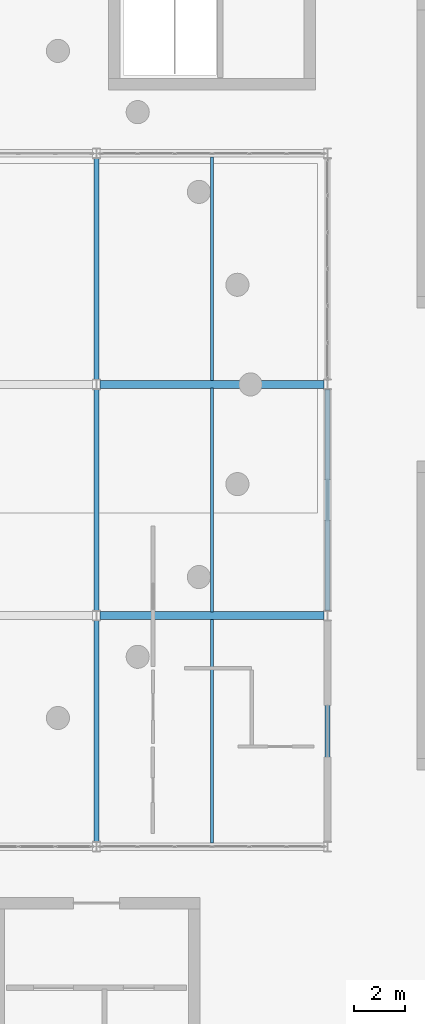
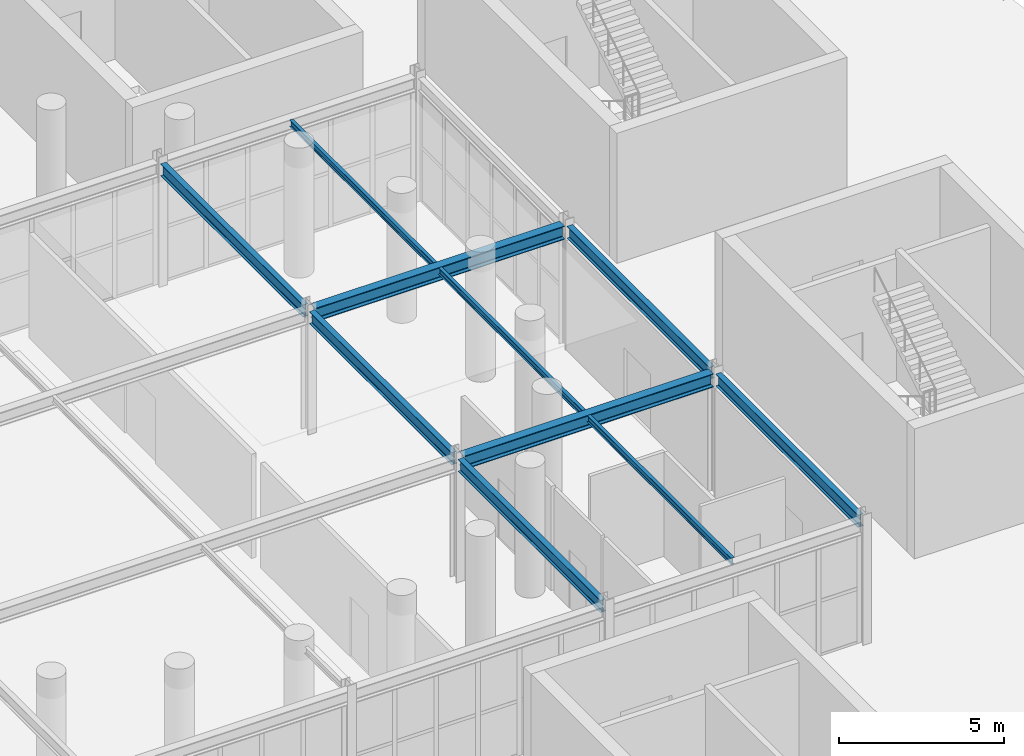
# One storey, part 13 of 29: 10 beams.
"""IFC4 building model written with IfcOpenShell, lengths in metres."""

from ifc_helpers import new_model, si_unit, direction, frame, origin, origin_2d, place, context, subcontext, project, spatial, i_section, extrude, material, material_profile, profile_set, type_object, element, save


model = new_model("IFC4")

# Units and contexts
model_context = context("Model", 3, precision=1e-05, world=origin(), true_north=direction((0.0, 1.0)))
body_context = subcontext(model_context, "Body", "Model", "MODEL_VIEW")
ifc_project = project(units=[si_unit("LENGTHUNIT", "METRE"), si_unit("AREAUNIT", "SQUARE_METRE"), si_unit("VOLUMEUNIT", "CUBIC_METRE"), si_unit("PLANEANGLEUNIT", "RADIAN"), si_unit("MASSUNIT", "GRAM", prefix="KILO")], contexts=[model_context])

# Site, building, storey
site_placement = place(None, origin())
site = spatial("IfcSite", under=ifc_project, at=site_placement, CompositionType="ELEMENT")
building_placement = place(site_placement, origin())
building = spatial("IfcBuilding", under=site, at=building_placement, Name="Dornveld Trade and Exhibition Forum", CompositionType="ELEMENT")
storey_placement = place(building_placement, frame((0.0, 0.0, 21.60009765625)))
storey = spatial("IfcBuildingStorey", under=building, at=storey_placement, Name="L04", CompositionType="ELEMENT", Elevation=21.60009765625)

# Beams
ifc_material_1 = material(Name="Steel S355J2", Category="steel")
ifc_material_profile_1 = material_profile(ifc_material_1, i_section(OverallWidth=0.300048828125, OverallDepth=0.5, WebThickness=0.014404296875, FlangeThickness=0.028076171875, FilletRadius=0.027099609375, at=origin_2d()), Name="HEB 500")
ifc_profile_set_1 = profile_set([ifc_material_profile_1], Name="Steel S355J2")
beam_type_1 = type_object("IfcBeamType", Name="BM-GIR-HEB500", PredefinedType="USERDEFINED", material=ifc_profile_set_1)
for number, where, z_axis, x_axis, name in (
    (1, (126.14599609375, 72.0, 4.2998046875), (1.0, 0.0, 0.0), (0.0, 1.0, 0.0), "L04 X-girder 1679"),
    (2, (126.14599609375, 81.0, 4.2998046875), (1.0, 0.0, 0.0), (0.0, 1.0, 0.0), "L04 X-girder 1682"),
):
    element("IfcBeam", number, at=place(storey_placement, frame(where, z_axis=z_axis, x_axis=x_axis)), inside=storey, type_object=beam_type_1, Name=name, ObjectType="GIRDER", PredefinedType="USERDEFINED", context=body_context, shape_type="SweptSolid", body=[
        extrude(i_section(OverallWidth=0.300048828125, OverallDepth=0.5, WebThickness=0.014404296875, FlangeThickness=0.028076171875, FilletRadius=0.027099609375, at=origin_2d()), origin(), (0.0, 0.0, 1.0), 8.7080078125),
    ])
ifc_material_2 = material(Name="Steel S355J2", Category="steel")
ifc_material_profile_2 = material_profile(ifc_material_2, i_section(OverallWidth=0.1201171875, OverallDepth=0.239990234375, WebThickness=0.006103515625, FlangeThickness=0.009765625, FilletRadius=0.014892578125, at=origin_2d()), Name="IPE 240")
ifc_profile_set_2 = profile_set([ifc_material_profile_2], Name="Steel S355J2")
beam_type_2 = type_object("IfcBeamType", Name="BM-JOIST-240", PredefinedType="JOIST", material=ifc_profile_set_2)
for number, where, z_axis, x_axis, name in (
    (3, (130.5, 63.14697265625, 4.429931640625), (0.0, 1.0, 0.0), (-1.0, 0.0, 0.0), "L04 secondary joist 1704"),
    (4, (130.5, 72.14697265625, 4.429931640625), (0.0, 1.0, 0.0), (-1.0, 0.0, 0.0), "L04 secondary joist 1705"),
    (5, (130.5, 81.14697265625, 4.429931640625), (0.0, 1.0, 0.0), (-1.0, 0.0, 0.0), "L04 secondary joist 1706"),
):
    element("IfcBeam", number, at=place(storey_placement, frame(where, z_axis=z_axis, x_axis=x_axis)), inside=storey, type_object=beam_type_2, Name=name, PredefinedType="JOIST", context=body_context, shape_type="SweptSolid", body=[
        extrude(i_section(OverallWidth=0.1201171875, OverallDepth=0.239990234375, WebThickness=0.006103515625, FlangeThickness=0.009765625, FilletRadius=0.014892578125, at=origin_2d()), origin(), (0.0, 0.0, 1.0), 8.7060546875),
    ])
ifc_material_3 = material(Name="Steel S355J2", Category="steel")
ifc_material_profile_3 = material_profile(ifc_material_3, i_section(OverallWidth=0.18994140625, OverallDepth=0.449951171875, WebThickness=0.009521484375, FlangeThickness=0.0146484375, FilletRadius=0.02099609375, at=origin_2d()), Name="IPE 450")
ifc_profile_set_3 = profile_set([ifc_material_profile_3], Name="Steel S355J2")
beam_type_3 = type_object("IfcBeamType", Name="BM-SEC-450", PredefinedType="BEAM", material=ifc_profile_set_3)
for number, where, z_axis, x_axis, name in (
    (6, (126.0, 63.196044921875, 4.324951171875), (0.0, 1.0, 0.0), (-1.0, 0.0, 0.0), "L04 Y-girder 1692"),
    (7, (126.0, 72.196044921875, 4.324951171875), (0.0, 1.0, 0.0), (-1.0, 0.0, 0.0), "L04 Y-girder 1693"),
    (8, (126.0, 81.196044921875, 4.324951171875), (0.0, 1.0, 0.0), (-1.0, 0.0, 0.0), "L04 Y-girder 1694"),
    (9, (135.0, 63.196044921875, 4.324951171875), (0.0, 1.0, 0.0), (-1.0, 0.0, 0.0), "L04 Y-girder 1695"),
    (10, (135.0, 72.196044921875, 4.324951171875), (0.0, 1.0, 0.0), (-1.0, 0.0, 0.0), "L04 Y-girder 1696"),
):
    element("IfcBeam", number, at=place(storey_placement, frame(where, z_axis=z_axis, x_axis=x_axis)), inside=storey, type_object=beam_type_3, Name=name, PredefinedType="BEAM", context=body_context, shape_type="SweptSolid", body=[
        extrude(i_section(OverallWidth=0.18994140625, OverallDepth=0.449951171875, WebThickness=0.009521484375, FlangeThickness=0.0146484375, FilletRadius=0.02099609375, at=origin_2d()), origin(), (0.0, 0.0, 1.0), 8.60791015625),
    ])

save(model, "model.ifc")
